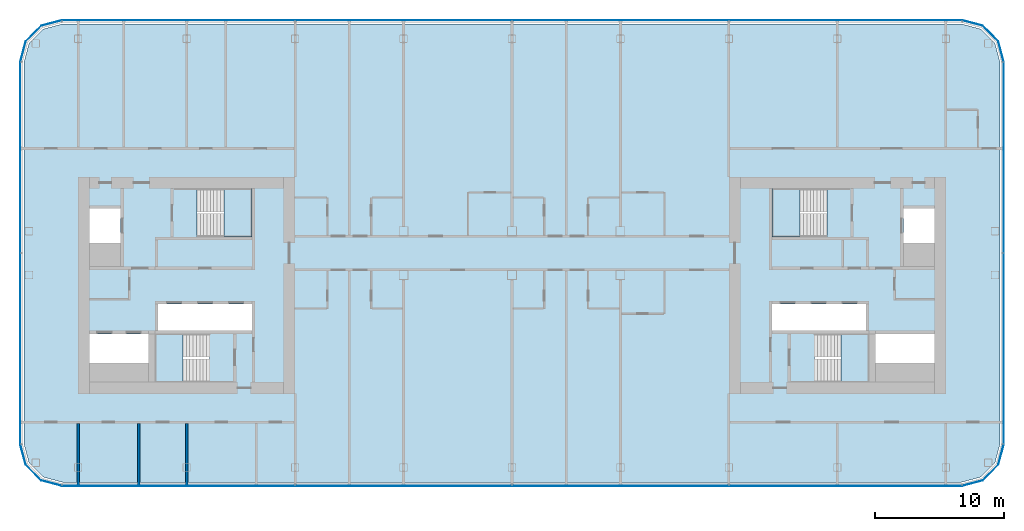
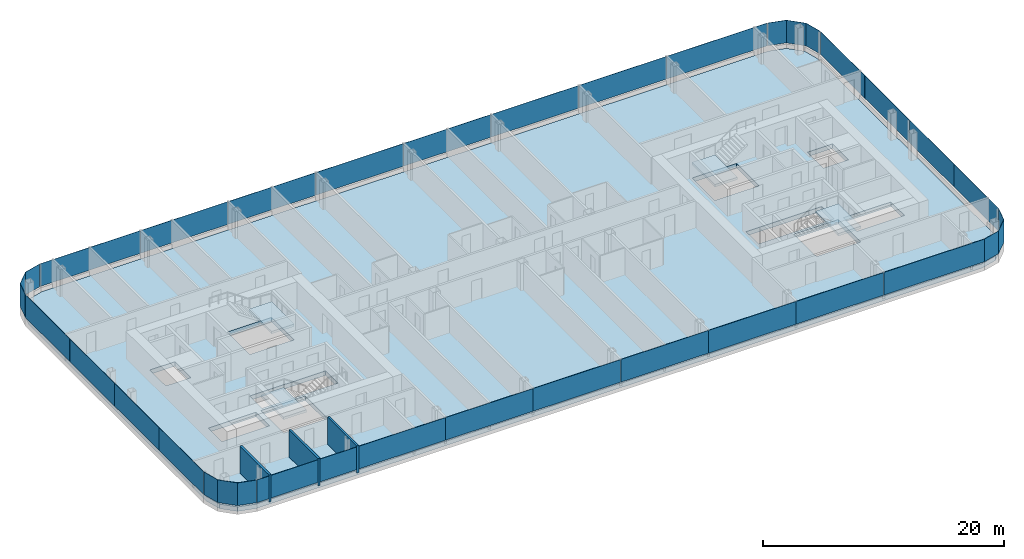
# One storey, part 12 of 26: 28 plates, 5 slabs, 3 walls, 12 elements without a shape of their own.
"""IFC4 building model written with IfcOpenShell, lengths in metres."""

from ifc_helpers import new_model, si_unit, direction, frame, frame_2d, origin, origin_2d, place, context, subcontext, project, spatial, polyline, rectangle, outline, extrude, material, layer, layer_set, type_object, element, aggregate, save


model = new_model("IFC4")

# Units and contexts
model_context = context("Model", 3, precision=1e-05, world=origin(), true_north=direction((0.0, 1.0)))
body_context = subcontext(model_context, "Body", "Model", "MODEL_VIEW")
ifc_project = project(units=[si_unit("LENGTHUNIT", "METRE"), si_unit("AREAUNIT", "SQUARE_METRE"), si_unit("VOLUMEUNIT", "CUBIC_METRE"), si_unit("PLANEANGLEUNIT", "RADIAN"), si_unit("MASSUNIT", "GRAM", prefix="KILO")], contexts=[model_context])

# Site, building, storey
site_placement = place(None, origin())
site = spatial("IfcSite", under=ifc_project, at=site_placement, CompositionType="ELEMENT")
building_placement = place(site_placement, origin())
building = spatial("IfcBuilding", under=site, at=building_placement, Name="Hakoniwa Tower and Hamabe Station Hall", CompositionType="ELEMENT")
storey_placement = place(building_placement, frame((0.0, 0.0, 196.199951171875)))
storey = spatial("IfcBuildingStorey", under=building, at=storey_placement, Name="L55", CompositionType="ELEMENT", Elevation=196.199951171875)

# Stair, slab
ifc_material_1 = material(Name="Concrete C40", Category="concrete")
stair_type = type_object("IfcStairType", Name="ESCAPE STAIR 1800", PredefinedType="HALF_TURN_STAIR", material=ifc_material_1)
stair_1_placement = place(storey_placement, origin())
stair_1 = element("IfcStair", 1, at=stair_1_placement, inside=storey, type_object=stair_type, Name="Escape stair ST-1 L55", PredefinedType="HALF_TURN_STAIR")
ifc_material_2 = material(Name="Concrete C40", Category="concrete")
ifc_layer_1 = layer(ifc_material_2, 0.25)
ifc_layer_set_1 = layer_set([ifc_layer_1], Name="CORE STAIR LANDING 250")
slab_type_1 = type_object("IfcSlabType", Name="CORE STAIR LANDING 250", PredefinedType="LANDING", material=ifc_layer_set_1)
slab_1_placement = place(storey_placement, frame((0.0, 0.0, 1.35009765625)))
slab_1 = element("IfcSlab", 2, at=slab_1_placement, type_object=slab_type_1, Name="ST-1 landing 1", PredefinedType="LANDING", context=body_context, shape_type="SweptSolid", body=[
    extrude(outline(polyline([(-22.320068359375, 3.75), (-20.14990234375, 3.75), (-20.14990234375, 7.5), (-22.320068359375, 7.5), (-22.320068359375, 3.75)])), origin(), (0.0, 0.0, 1.0), 0.25),
])
aggregate(stair_1, [slab_1])

stair_2_placement = place(storey_placement, origin())
stair_2 = element("IfcStair", 3, at=stair_2_placement, inside=storey, type_object=stair_type, Name="Escape stair ST-2 L55", PredefinedType="HALF_TURN_STAIR")
slab_2_placement = place(storey_placement, frame((0.0, 0.0, 1.35009765625)))
slab_2 = element("IfcSlab", 4, at=slab_2_placement, type_object=slab_type_1, Name="ST-2 landing 1", PredefinedType="LANDING", context=body_context, shape_type="SweptSolid", body=[
    extrude(outline(polyline([(-25.47998046875, -7.5), (-27.64990234375, -7.5), (-27.64990234375, -3.75), (-25.47998046875, -3.75), (-25.47998046875, -7.5)])), origin(), (0.0, 0.0, 1.0), 0.25),
])
aggregate(stair_2, [slab_2])

stair_3_placement = place(storey_placement, origin())
stair_3 = element("IfcStair", 5, at=stair_3_placement, inside=storey, type_object=stair_type, Name="Escape stair ST-3 L55", PredefinedType="HALF_TURN_STAIR")
slab_3_placement = place(storey_placement, frame((0.0, 0.0, 1.35009765625)))
slab_3 = element("IfcSlab", 6, at=slab_3_placement, type_object=slab_type_1, Name="ST-3 landing 1", PredefinedType="LANDING", context=body_context, shape_type="SweptSolid", body=[
    extrude(outline(polyline([(22.320068359375, 3.75), (20.14990234375, 3.75), (20.14990234375, 7.5), (22.320068359375, 7.5), (22.320068359375, 3.75)])), origin(), (0.0, 0.0, 1.0), 0.25),
])
aggregate(stair_3, [slab_3])

stair_4_placement = place(storey_placement, origin())
stair_4 = element("IfcStair", 7, at=stair_4_placement, inside=storey, type_object=stair_type, Name="Escape stair ST-4 L55", PredefinedType="HALF_TURN_STAIR")
slab_4_placement = place(storey_placement, frame((0.0, 0.0, 1.35009765625)))
slab_4 = element("IfcSlab", 8, at=slab_4_placement, type_object=slab_type_1, Name="ST-4 landing 1", PredefinedType="LANDING", context=body_context, shape_type="SweptSolid", body=[
    extrude(outline(polyline([(25.47998046875, -7.5), (27.64990234375, -7.5), (27.64990234375, -3.75), (25.47998046875, -3.75), (25.47998046875, -7.5)])), origin(), (0.0, 0.0, 1.0), 0.25),
])
aggregate(stair_4, [slab_4])

# Curtain wall, plates
ifc_material_3 = material(Name="Dark low-e laminated glass", Category="glass")
ifc_layer_2 = layer(ifc_material_3, 0.199951171875)
ifc_layer_set_2 = layer_set([ifc_layer_2], Name="CW-1 UNITISED GUEST")
curtain_wall_type = type_object("IfcCurtainWallType", Name="CW-1 UNITISED GUEST", PredefinedType="NOTDEFINED", material=ifc_layer_set_2)
curtain_wall_1_placement = place(storey_placement, origin())
curtain_wall_1 = element("IfcCurtainWall", 9, at=curtain_wall_1_placement, inside=storey, type_object=curtain_wall_type, Name="CW-1 curtain wall", PredefinedType="NOTDEFINED")
ifc_material_4 = material(Name="Dark low-e laminated glass", Category="glass")
ifc_layer_3 = layer(ifc_material_4, 0.028076171875)
ifc_layer_set_3 = layer_set([ifc_layer_3], Name="CW-1 GLASS UNIT")
plate_type = type_object("IfcPlateType", Name="CW-1 GLASS UNIT", PredefinedType="CURTAIN_PANEL", material=ifc_layer_set_3)
plate_1_placement = place(storey_placement, frame((38.0859375, -8.592041015625, 0.35009765625), z_axis=(0.0, 0.0, 1.0), x_axis=(0.0, 1.0, 0.0)))
plate_1 = element("IfcPlate", 10, at=plate_1_placement, type_object=plate_type, Name="CW-1 glass unit", PredefinedType="CURTAIN_PANEL", context=body_context, shape_type="SweptSolid", body=[
    extrude(rectangle(XDim=7.374755859375, YDim=0.028076171875, at=origin_2d()), origin(), (0.0, 0.0, 1.0), 2.300048828125),
])
plate_2_placement = place(storey_placement, frame((38.0859375, -1.197265625, 0.35009765625), z_axis=(0.0, 0.0, 1.0), x_axis=(0.0, 1.0, 0.0)))
plate_2 = element("IfcPlate", 11, at=plate_2_placement, type_object=plate_type, Name="CW-1 glass unit", PredefinedType="CURTAIN_PANEL", context=body_context, shape_type="SweptSolid", body=[
    extrude(rectangle(XDim=7.374755859375, YDim=0.028076171875, at=origin_2d()), origin(), (0.0, 0.0, 1.0), 2.300048828125),
])
plate_3_placement = place(storey_placement, frame((38.0859375, 6.197265625, 0.35009765625), z_axis=(0.0, 0.0, 1.0), x_axis=(0.0, 1.0, 0.0)))
plate_3 = element("IfcPlate", 12, at=plate_3_placement, type_object=plate_type, Name="CW-1 glass unit", PredefinedType="CURTAIN_PANEL", context=body_context, shape_type="SweptSolid", body=[
    extrude(rectangle(XDim=7.374755859375, YDim=0.028076171875, at=origin_2d()), origin(), (0.0, 0.0, 1.0), 2.300048828125),
])
plate_4_placement = place(storey_placement, frame((38.0859375, 13.592041015625, 0.35009765625), z_axis=(0.0, 0.0, 1.0), x_axis=(0.0, 1.0, 0.0)))
plate_4 = element("IfcPlate", 13, at=plate_4_placement, type_object=plate_type, Name="CW-1 glass unit", PredefinedType="CURTAIN_PANEL", context=body_context, shape_type="SweptSolid", body=[
    extrude(rectangle(XDim=7.374755859375, YDim=0.028076171875, at=origin_2d()), origin(), (0.0, 0.0, 1.0), 2.300048828125),
])
aggregate(curtain_wall_1, [plate_1, plate_2, plate_3, plate_4])

# Curtain wall, plate
curtain_wall_2_placement = place(storey_placement, origin())
curtain_wall_2 = element("IfcCurtainWall", 14, at=curtain_wall_2_placement, inside=storey, type_object=curtain_wall_type, Name="CW-1 curtain wall", PredefinedType="NOTDEFINED")
plate_5_placement = place(storey_placement, frame((0.0, 0.0, 0.35009765625)))
plate_5 = element("IfcPlate", 15, at=plate_5_placement, type_object=plate_type, Name="CW-1 curved corner unit", PredefinedType="CURTAIN_PANEL", context=body_context, shape_type="SweptSolid", body=[
    extrude(outline(polyline([(38.089599609375, 17.328125), (37.6669921875, 18.9052734375), (36.455322265625, 20.116943359375), (34.878173828125, 20.53955078125), (34.870849609375, 20.5126953125), (36.44091796875, 20.092041015625), (37.641845703125, 18.890869140625), (38.0625, 17.32080078125), (38.089599609375, 17.328125)])), origin(), (0.0, 0.0, 1.0), 2.300048828125),
])
aggregate(curtain_wall_2, [plate_5])

# Curtain wall, plates
curtain_wall_3_placement = place(storey_placement, origin())
curtain_wall_3 = element("IfcCurtainWall", 16, at=curtain_wall_3_placement, inside=storey, type_object=curtain_wall_type, Name="CW-1 curtain wall", PredefinedType="NOTDEFINED")
plate_6_placement = place(storey_placement, frame((30.019775390625, 20.535888671875, 0.35009765625), z_axis=(0.0, 0.0, 1.0), x_axis=(-1.0, 0.0, 0.0)))
plate_6 = element("IfcPlate", 17, at=plate_6_placement, type_object=plate_type, Name="CW-1 glass unit", PredefinedType="CURTAIN_PANEL", context=body_context, shape_type="SweptSolid", body=[
    extrude(rectangle(XDim=9.619384765625, YDim=0.028076171875, at=origin_2d()), origin(), (0.0, 0.0, 1.0), 2.300048828125),
])
plate_7_placement = place(storey_placement, frame((21.0, 20.535888671875, 0.35009765625), z_axis=(0.0, 0.0, 1.0), x_axis=(-1.0, 0.0, 0.0)))
plate_7 = element("IfcPlate", 18, at=plate_7_placement, type_object=plate_type, Name="CW-1 glass unit", PredefinedType="CURTAIN_PANEL", context=body_context, shape_type="SweptSolid", body=[
    extrude(rectangle(XDim=8.3798828125, YDim=0.028076171875, at=origin_2d()), origin(), (0.0, 0.0, 1.0), 2.300048828125),
])
plate_8_placement = place(storey_placement, frame((12.60009765625, 20.535888671875, 0.35009765625), z_axis=(0.0, 0.0, 1.0), x_axis=(-1.0, 0.0, 0.0)))
plate_8 = element("IfcPlate", 19, at=plate_8_placement, type_object=plate_type, Name="CW-1 glass unit", PredefinedType="CURTAIN_PANEL", context=body_context, shape_type="SweptSolid", body=[
    extrude(rectangle(XDim=8.3798828125, YDim=0.028076171875, at=origin_2d()), origin(), (0.0, 0.0, 1.0), 2.300048828125),
])
plate_9_placement = place(storey_placement, frame((4.199951171875, 20.535888671875, 0.35009765625), z_axis=(0.0, 0.0, 1.0), x_axis=(-1.0, 0.0, 0.0)))
plate_9 = element("IfcPlate", 20, at=plate_9_placement, type_object=plate_type, Name="CW-1 glass unit", PredefinedType="CURTAIN_PANEL", context=body_context, shape_type="SweptSolid", body=[
    extrude(rectangle(XDim=8.3798828125, YDim=0.028076171875, at=origin_2d()), origin(), (0.0, 0.0, 1.0), 2.300048828125),
])
plate_10_placement = place(storey_placement, frame((-4.199951171875, 20.535888671875, 0.35009765625), z_axis=(0.0, 0.0, 1.0), x_axis=(-1.0, 0.0, 0.0)))
plate_10 = element("IfcPlate", 21, at=plate_10_placement, type_object=plate_type, Name="CW-1 glass unit", PredefinedType="CURTAIN_PANEL", context=body_context, shape_type="SweptSolid", body=[
    extrude(rectangle(XDim=8.3798828125, YDim=0.028076171875, at=origin_2d()), origin(), (0.0, 0.0, 1.0), 2.300048828125),
])
plate_11_placement = place(storey_placement, frame((-12.60009765625, 20.535888671875, 0.35009765625), z_axis=(0.0, 0.0, 1.0), x_axis=(-1.0, 0.0, 0.0)))
plate_11 = element("IfcPlate", 22, at=plate_11_placement, type_object=plate_type, Name="CW-1 glass unit", PredefinedType="CURTAIN_PANEL", context=body_context, shape_type="SweptSolid", body=[
    extrude(rectangle(XDim=8.3798828125, YDim=0.028076171875, at=origin_2d()), origin(), (0.0, 0.0, 1.0), 2.300048828125),
])
plate_12_placement = place(storey_placement, frame((-21.0, 20.535888671875, 0.35009765625), z_axis=(0.0, 0.0, 1.0), x_axis=(-1.0, 0.0, 0.0)))
plate_12 = element("IfcPlate", 23, at=plate_12_placement, type_object=plate_type, Name="CW-1 glass unit", PredefinedType="CURTAIN_PANEL", context=body_context, shape_type="SweptSolid", body=[
    extrude(rectangle(XDim=8.3798828125, YDim=0.028076171875, at=origin_2d()), origin(), (0.0, 0.0, 1.0), 2.300048828125),
])
plate_13_placement = place(storey_placement, frame((-30.019775390625, 20.535888671875, 0.35009765625), z_axis=(0.0, 0.0, 1.0), x_axis=(-1.0, 0.0, 0.0)))
plate_13 = element("IfcPlate", 24, at=plate_13_placement, type_object=plate_type, Name="CW-1 glass unit", PredefinedType="CURTAIN_PANEL", context=body_context, shape_type="SweptSolid", body=[
    extrude(rectangle(XDim=9.619384765625, YDim=0.028076171875, at=origin_2d()), origin(), (0.0, 0.0, 1.0), 2.300048828125),
])
aggregate(curtain_wall_3, [plate_6, plate_7, plate_8, plate_9, plate_10, plate_11, plate_12, plate_13])

# Curtain wall, plate
curtain_wall_4_placement = place(storey_placement, origin())
curtain_wall_4 = element("IfcCurtainWall", 25, at=curtain_wall_4_placement, inside=storey, type_object=curtain_wall_type, Name="CW-1 curtain wall", PredefinedType="NOTDEFINED")
plate_14_placement = place(storey_placement, frame((0.0, 0.0, 0.35009765625)))
plate_14 = element("IfcPlate", 26, at=plate_14_placement, type_object=plate_type, Name="CW-1 curved corner unit", PredefinedType="CURTAIN_PANEL", context=body_context, shape_type="SweptSolid", body=[
    extrude(outline(polyline([(-34.878173828125, 20.53955078125), (-36.455322265625, 20.116943359375), (-37.6669921875, 18.9052734375), (-38.089599609375, 17.328125), (-38.0625, 17.32080078125), (-37.641845703125, 18.890869140625), (-36.44091796875, 20.092041015625), (-34.870849609375, 20.5126953125), (-34.878173828125, 20.53955078125)])), origin(), (0.0, 0.0, 1.0), 2.300048828125),
])
aggregate(curtain_wall_4, [plate_14])

# Curtain wall, plates
curtain_wall_5_placement = place(storey_placement, origin())
curtain_wall_5 = element("IfcCurtainWall", 27, at=curtain_wall_5_placement, inside=storey, type_object=curtain_wall_type, Name="CW-1 curtain wall", PredefinedType="NOTDEFINED")
plate_15_placement = place(storey_placement, frame((-38.0859375, 13.592041015625, 0.35009765625), z_axis=(0.0, 0.0, 1.0), x_axis=(0.0, -1.0, 0.0)))
plate_15 = element("IfcPlate", 28, at=plate_15_placement, type_object=plate_type, Name="CW-1 glass unit", PredefinedType="CURTAIN_PANEL", context=body_context, shape_type="SweptSolid", body=[
    extrude(rectangle(XDim=7.374755859375, YDim=0.028076171875, at=origin_2d()), origin(), (0.0, 0.0, 1.0), 2.300048828125),
])
plate_16_placement = place(storey_placement, frame((-38.0859375, 6.197265625, 0.35009765625), z_axis=(0.0, 0.0, 1.0), x_axis=(0.0, -1.0, 0.0)))
plate_16 = element("IfcPlate", 29, at=plate_16_placement, type_object=plate_type, Name="CW-1 glass unit", PredefinedType="CURTAIN_PANEL", context=body_context, shape_type="SweptSolid", body=[
    extrude(rectangle(XDim=7.374755859375, YDim=0.028076171875, at=origin_2d()), origin(), (0.0, 0.0, 1.0), 2.300048828125),
])
plate_17_placement = place(storey_placement, frame((-38.0859375, -1.197265625, 0.35009765625), z_axis=(0.0, 0.0, 1.0), x_axis=(0.0, -1.0, 0.0)))
plate_17 = element("IfcPlate", 30, at=plate_17_placement, type_object=plate_type, Name="CW-1 glass unit", PredefinedType="CURTAIN_PANEL", context=body_context, shape_type="SweptSolid", body=[
    extrude(rectangle(XDim=7.374755859375, YDim=0.028076171875, at=origin_2d()), origin(), (0.0, 0.0, 1.0), 2.300048828125),
])
plate_18_placement = place(storey_placement, frame((-38.0859375, -8.592041015625, 0.35009765625), z_axis=(0.0, 0.0, 1.0), x_axis=(0.0, -1.0, 0.0)))
plate_18 = element("IfcPlate", 31, at=plate_18_placement, type_object=plate_type, Name="CW-1 glass unit", PredefinedType="CURTAIN_PANEL", context=body_context, shape_type="SweptSolid", body=[
    extrude(rectangle(XDim=7.374755859375, YDim=0.028076171875, at=origin_2d()), origin(), (0.0, 0.0, 1.0), 2.300048828125),
])
aggregate(curtain_wall_5, [plate_15, plate_16, plate_17, plate_18])

# Curtain wall, plate
curtain_wall_6_placement = place(storey_placement, origin())
curtain_wall_6 = element("IfcCurtainWall", 32, at=curtain_wall_6_placement, inside=storey, type_object=curtain_wall_type, Name="CW-1 curtain wall", PredefinedType="NOTDEFINED")
plate_19_placement = place(storey_placement, frame((0.0, 0.0, 0.35009765625)))
plate_19 = element("IfcPlate", 33, at=plate_19_placement, type_object=plate_type, Name="CW-1 curved corner unit", PredefinedType="CURTAIN_PANEL", context=body_context, shape_type="SweptSolid", body=[
    extrude(outline(polyline([(-38.089599609375, -12.328125), (-37.6669921875, -13.9052734375), (-36.455322265625, -15.116943359375), (-34.878173828125, -15.53955078125), (-34.870849609375, -15.5126953125), (-36.44091796875, -15.092041015625), (-37.641845703125, -13.890869140625), (-38.0625, -12.32080078125), (-38.089599609375, -12.328125)])), origin(), (0.0, 0.0, 1.0), 2.300048828125),
])
aggregate(curtain_wall_6, [plate_19])

# Curtain wall, plates
curtain_wall_7_placement = place(storey_placement, origin())
curtain_wall_7 = element("IfcCurtainWall", 34, at=curtain_wall_7_placement, inside=storey, type_object=curtain_wall_type, Name="CW-1 curtain wall", PredefinedType="NOTDEFINED")
plate_20_placement = place(storey_placement, frame((-30.019775390625, -15.535888671875, 0.35009765625), z_axis=(0.0, 0.0, 1.0), x_axis=(1.0, 0.0, 0.0)))
plate_20 = element("IfcPlate", 35, at=plate_20_placement, type_object=plate_type, Name="CW-1 glass unit", PredefinedType="CURTAIN_PANEL", context=body_context, shape_type="SweptSolid", body=[
    extrude(rectangle(XDim=9.619384765625, YDim=0.028076171875, at=origin_2d()), origin(), (0.0, 0.0, 1.0), 2.300048828125),
])
plate_21_placement = place(storey_placement, frame((-21.0, -15.535888671875, 0.35009765625), z_axis=(0.0, 0.0, 1.0), x_axis=(1.0, 0.0, 0.0)))
plate_21 = element("IfcPlate", 36, at=plate_21_placement, type_object=plate_type, Name="CW-1 glass unit", PredefinedType="CURTAIN_PANEL", context=body_context, shape_type="SweptSolid", body=[
    extrude(rectangle(XDim=8.3798828125, YDim=0.028076171875, at=origin_2d()), origin(), (0.0, 0.0, 1.0), 2.300048828125),
])
plate_22_placement = place(storey_placement, frame((-12.60009765625, -15.535888671875, 0.35009765625), z_axis=(0.0, 0.0, 1.0), x_axis=(1.0, 0.0, 0.0)))
plate_22 = element("IfcPlate", 37, at=plate_22_placement, type_object=plate_type, Name="CW-1 glass unit", PredefinedType="CURTAIN_PANEL", context=body_context, shape_type="SweptSolid", body=[
    extrude(rectangle(XDim=8.3798828125, YDim=0.028076171875, at=origin_2d()), origin(), (0.0, 0.0, 1.0), 2.300048828125),
])
plate_23_placement = place(storey_placement, frame((-4.199951171875, -15.535888671875, 0.35009765625), z_axis=(0.0, 0.0, 1.0), x_axis=(1.0, 0.0, 0.0)))
plate_23 = element("IfcPlate", 38, at=plate_23_placement, type_object=plate_type, Name="CW-1 glass unit", PredefinedType="CURTAIN_PANEL", context=body_context, shape_type="SweptSolid", body=[
    extrude(rectangle(XDim=8.3798828125, YDim=0.028076171875, at=origin_2d()), origin(), (0.0, 0.0, 1.0), 2.300048828125),
])
plate_24_placement = place(storey_placement, frame((4.199951171875, -15.535888671875, 0.35009765625), z_axis=(0.0, 0.0, 1.0), x_axis=(1.0, 0.0, 0.0)))
plate_24 = element("IfcPlate", 39, at=plate_24_placement, type_object=plate_type, Name="CW-1 glass unit", PredefinedType="CURTAIN_PANEL", context=body_context, shape_type="SweptSolid", body=[
    extrude(rectangle(XDim=8.3798828125, YDim=0.028076171875, at=origin_2d()), origin(), (0.0, 0.0, 1.0), 2.300048828125),
])
plate_25_placement = place(storey_placement, frame((12.60009765625, -15.535888671875, 0.35009765625), z_axis=(0.0, 0.0, 1.0), x_axis=(1.0, 0.0, 0.0)))
plate_25 = element("IfcPlate", 40, at=plate_25_placement, type_object=plate_type, Name="CW-1 glass unit", PredefinedType="CURTAIN_PANEL", context=body_context, shape_type="SweptSolid", body=[
    extrude(rectangle(XDim=8.3798828125, YDim=0.028076171875, at=origin_2d()), origin(), (0.0, 0.0, 1.0), 2.300048828125),
])
plate_26_placement = place(storey_placement, frame((21.0, -15.535888671875, 0.35009765625), z_axis=(0.0, 0.0, 1.0), x_axis=(1.0, 0.0, 0.0)))
plate_26 = element("IfcPlate", 41, at=plate_26_placement, type_object=plate_type, Name="CW-1 glass unit", PredefinedType="CURTAIN_PANEL", context=body_context, shape_type="SweptSolid", body=[
    extrude(rectangle(XDim=8.3798828125, YDim=0.028076171875, at=origin_2d()), origin(), (0.0, 0.0, 1.0), 2.300048828125),
])
plate_27_placement = place(storey_placement, frame((30.019775390625, -15.535888671875, 0.35009765625), z_axis=(0.0, 0.0, 1.0), x_axis=(1.0, 0.0, 0.0)))
plate_27 = element("IfcPlate", 42, at=plate_27_placement, type_object=plate_type, Name="CW-1 glass unit", PredefinedType="CURTAIN_PANEL", context=body_context, shape_type="SweptSolid", body=[
    extrude(rectangle(XDim=9.619384765625, YDim=0.028076171875, at=origin_2d()), origin(), (0.0, 0.0, 1.0), 2.300048828125),
])
aggregate(curtain_wall_7, [plate_20, plate_21, plate_22, plate_23, plate_24, plate_25, plate_26, plate_27])

# Curtain wall, plate
curtain_wall_8_placement = place(storey_placement, origin())
curtain_wall_8 = element("IfcCurtainWall", 43, at=curtain_wall_8_placement, inside=storey, type_object=curtain_wall_type, Name="CW-1 curtain wall", PredefinedType="NOTDEFINED")
plate_28_placement = place(storey_placement, frame((0.0, 0.0, 0.35009765625)))
plate_28 = element("IfcPlate", 44, at=plate_28_placement, type_object=plate_type, Name="CW-1 curved corner unit", PredefinedType="CURTAIN_PANEL", context=body_context, shape_type="SweptSolid", body=[
    extrude(outline(polyline([(34.878173828125, -15.53955078125), (36.455322265625, -15.116943359375), (37.6669921875, -13.9052734375), (38.089599609375, -12.328125), (38.0625, -12.32080078125), (37.641845703125, -13.890869140625), (36.44091796875, -15.092041015625), (34.870849609375, -15.5126953125), (34.878173828125, -15.53955078125)])), origin(), (0.0, 0.0, 1.0), 2.300048828125),
])
aggregate(curtain_wall_8, [plate_28])

# Slab
ifc_material_5 = material(Name="Concrete C42", Category="concrete")
ifc_layer_4 = layer(ifc_material_5, 0.449951171875)
ifc_layer_set_4 = layer_set([ifc_layer_4], Name="PT FLAT PLATE 450")
slab_type_2 = type_object("IfcSlabType", Name="PT FLAT PLATE 450", PredefinedType="FLOOR", material=ifc_layer_set_4)
slab_5_placement = place(storey_placement, frame((0.0, 0.0, -0.449951171875)))
element("IfcSlab", 45, at=slab_5_placement, inside=storey, type_object=slab_type_2, Name="Floor slab L55", PredefinedType="FLOOR", context=body_context, shape_type="SweptSolid", body=[
    extrude(outline(polyline([(37.800048828125, -12.25), (37.800048828125, 17.25), (37.398193359375, 18.75), (36.300048828125, 19.84814453125), (34.800048828125, 20.25), (-34.800048828125, 20.25), (-36.300048828125, 19.84814453125), (-37.398193359375, 18.75), (-37.800048828125, 17.25), (-37.800048828125, -12.25), (-37.398193359375, -13.75), (-36.300048828125, -14.84814453125), (-34.800048828125, -15.25), (34.800048828125, -15.25), (36.300048828125, -14.84814453125), (37.398193359375, -13.75), (37.800048828125, -12.25)]), holes=[polyline([(-27.39990234375, -3.5), (-27.39990234375, -1.449951171875), (-20.14990234375, -1.449951171875), (-20.14990234375, -3.5), (-27.39990234375, -3.5)]), polyline([(-32.699951171875, 3.300048828125), (-32.699951171875, 5.949951171875), (-30.300048828125, 5.949951171875), (-30.300048828125, 3.300048828125), (-32.699951171875, 3.300048828125)]), polyline([(-32.699951171875, -6.0), (-32.699951171875, -3.75), (-28.14990234375, -3.75), (-28.14990234375, -6.0), (-32.699951171875, -6.0)]), polyline([(-24.389892578125, 3.75), (-24.389892578125, 7.5), (-20.14990234375, 7.5), (-20.14990234375, 3.75), (-24.389892578125, 3.75)]), polyline([(-27.64990234375, -7.5), (-27.64990234375, -3.75), (-23.409912109375, -3.75), (-23.409912109375, -7.5), (-27.64990234375, -7.5)]), polyline([(20.14990234375, -3.5), (20.14990234375, -1.449951171875), (27.39990234375, -1.449951171875), (27.39990234375, -3.5), (20.14990234375, -3.5)]), polyline([(30.300048828125, 3.300048828125), (30.300048828125, 5.949951171875), (32.699951171875, 5.949951171875), (32.699951171875, 3.300048828125), (30.300048828125, 3.300048828125)]), polyline([(28.14990234375, -6.0), (28.14990234375, -3.75), (32.699951171875, -3.75), (32.699951171875, -6.0), (28.14990234375, -6.0)]), polyline([(20.14990234375, 3.75), (20.14990234375, 7.5), (24.389892578125, 7.5), (24.389892578125, 3.75), (20.14990234375, 3.75)]), polyline([(23.409912109375, -7.5), (23.409912109375, -3.75), (27.64990234375, -3.75), (27.64990234375, -7.5), (23.409912109375, -7.5)])]), origin(), (0.0, 0.0, 1.0), 0.449951171875),
])

# Walls
ifc_material_6 = material(Name="Fire-rated gypsum board partition", Category="gypsum")
ifc_layer_5 = layer(ifc_material_6, 0.199951171875)
ifc_layer_set_5 = layer_set([ifc_layer_5], Name="Party Wall 200")
wall_type = type_object("IfcWallType", Name="Party Wall 200", PredefinedType="PARTITIONING", material=ifc_layer_set_5)
for number, where, z_axis, x_axis, name in (
    (46, (-33.60009765625, -15.550048828125, 0.0), (0.0, 0.0, 1.0), (0.0, 1.0, 0.0), "GW-L55-019"),
    (47, (-28.89990234375, -15.550048828125, 0.0), (0.0, 0.0, 1.0), (0.0, 1.0, 0.0), "GW-L55-022"),
    (48, (-25.199951171875, -15.550048828125, 0.0), (0.0, 0.0, 1.0), (0.0, 1.0, 0.0), "GW-L55-023"),
):
    element("IfcWall", number, at=place(storey_placement, frame(where, z_axis=z_axis, x_axis=x_axis)), inside=storey, type_object=wall_type, Name=name, PredefinedType="PARTITIONING", context=body_context, shape_type="SweptSolid", body=[
        extrude(rectangle(XDim=4.85009765625, YDim=0.199951171875, at=frame_2d((2.425048828125, 0.0))), origin(), (0.0, 0.0, 1.0), 2.75),
    ])

save(model, "model.ifc")
